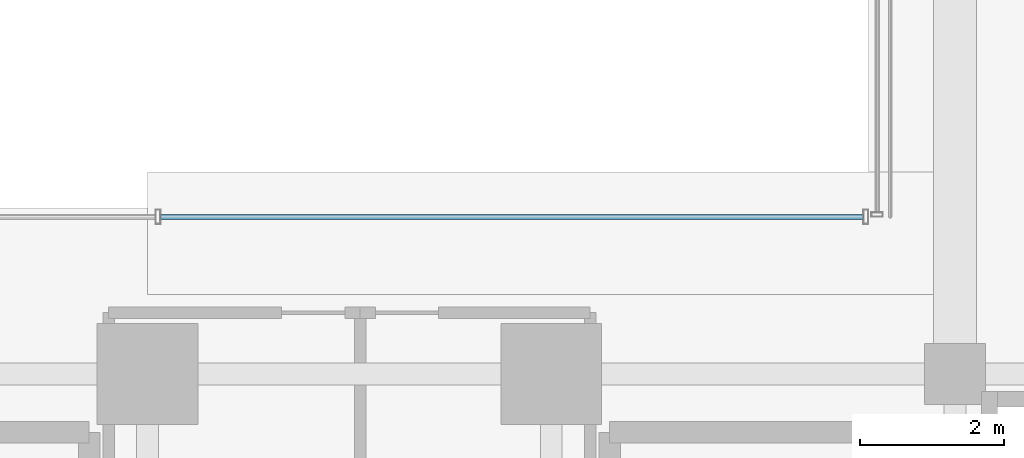
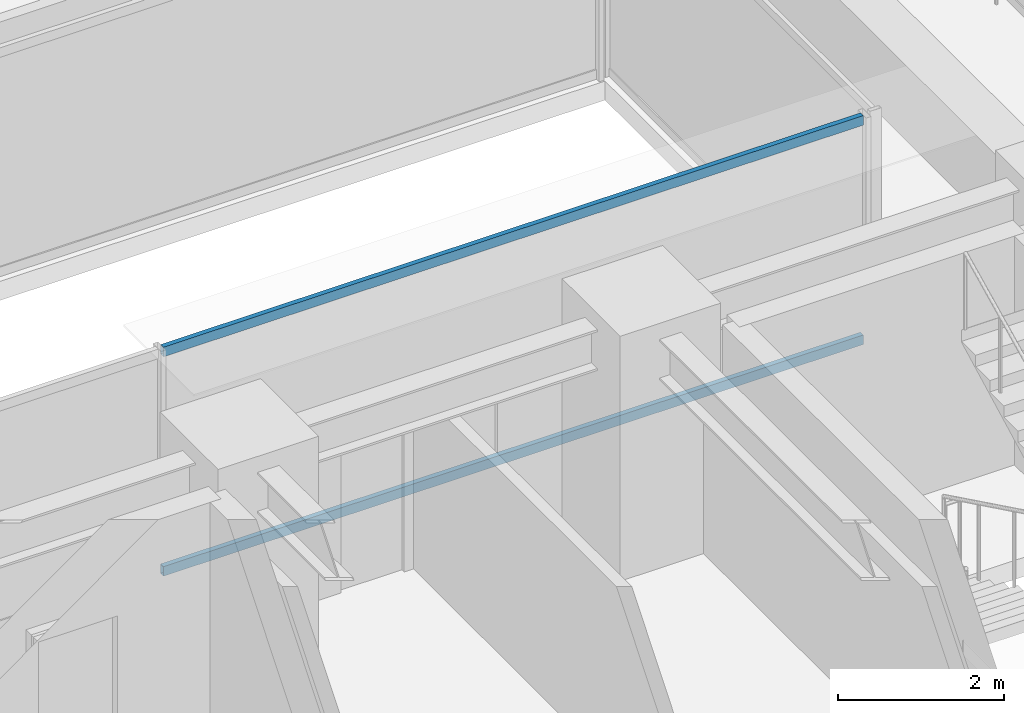
# One storey, part 12 of 42: 2 members, 1 element without a shape of its own.
"""IFC4 building model written with IfcOpenShell, lengths in metres."""

from ifc_helpers import new_model, si_unit, direction, frame, origin, origin_2d, place, context, subcontext, project, spatial, hollow_rectangle, extrude, source, transform, mapped, material, material_profile, profile_set, type_object, element, aggregate, save


model = new_model("IFC4")

# Units and contexts
model_context = context("Model", 3, precision=1e-05, world=origin(), true_north=direction((0.0, 1.0)))
body_context = subcontext(model_context, "Body", "Model", "MODEL_VIEW")
ifc_project = project(units=[si_unit("LENGTHUNIT", "METRE"), si_unit("AREAUNIT", "SQUARE_METRE"), si_unit("VOLUMEUNIT", "CUBIC_METRE"), si_unit("PLANEANGLEUNIT", "RADIAN"), si_unit("MASSUNIT", "GRAM", prefix="KILO")], contexts=[model_context])

# Site, building, storey
site_placement = place(None, origin())
site = spatial("IfcSite", under=ifc_project, at=site_placement, CompositionType="ELEMENT")
building_placement = place(site_placement, origin())
building = spatial("IfcBuilding", under=site, at=building_placement, Name="Nahalor Promenade Grand Hotel", CompositionType="ELEMENT")
storey_placement = place(building_placement, frame((0.0, 0.0, 61.60009765625)))
storey = spatial("IfcBuildingStorey", under=building, at=storey_placement, Name="L14", CompositionType="ELEMENT", Elevation=61.60009765625)

# Curtain wall, members
ifc_material = material(Name="Anodised Bronze Aluminium EN AW-6063 T6", Category="aluminium")
curtain_wall_type = type_object("IfcCurtainWallType", Name="CW3 Elliptical-Void Collar Unitised Curtain Wall", PredefinedType="USERDEFINED", material=ifc_material)
curtain_wall_placement = place(storey_placement, origin())
curtain_wall = element("IfcCurtainWall", 1, at=curtain_wall_placement, inside=storey, type_object=curtain_wall_type, Name="L14 Curtain Wall CW-L14-VOID-WS1", ObjectType="UNITISED_CURTAIN_WALL", PredefinedType="USERDEFINED")
ifc_material_profile = material_profile(ifc_material, hollow_rectangle(XDim=0.07, YDim=0.14, WallThickness=0.004, at=origin_2d()), Name="CWT 70x140x4")
ifc_profile_set = profile_set([ifc_material_profile], Name="Anodised Bronze Aluminium EN AW-6063 T6")
member_type = type_object("IfcMemberType", Name="CWT3 Void Collar Transom 70x140", PredefinedType="USERDEFINED", material=ifc_profile_set)
shared_shape = source(origin(), body_context, "Body", "SweptSolid", [
    extrude(hollow_rectangle(XDim=0.07, YDim=0.14, WallThickness=0.004, at=origin_2d()), origin(), (0.0, 0.0, 1.0), 9.748291015625),
])
member_1_placement = place(storey_placement, frame((-2.618408203125, -3.219970703125, 0.06982421875), z_axis=(1.0, 0.0, 0.0), x_axis=(0.0, 1.0, 0.0)))
member_1 = element("IfcMember", 2, at=member_1_placement, type_object=member_type, Name="CW-L14-VOID-WS1 Transom 2-0", ObjectType="TRANSOM", PredefinedType="USERDEFINED", context=body_context, shape_type="MappedRepresentation", body=[
    mapped(shared_shape, transform((0.0, 0.0, 0.0), scale=1.0)),
])
member_2_placement = place(storey_placement, frame((-2.618408203125, -3.219970703125, 3.2998046875), z_axis=(1.0, 0.0, 0.0), x_axis=(0.0, 1.0, 0.0)))
member_2 = element("IfcMember", 3, at=member_2_placement, type_object=member_type, Name="CW-L14-VOID-WS1 Transom 2-1", ObjectType="TRANSOM", PredefinedType="USERDEFINED", context=body_context, shape_type="MappedRepresentation", body=[
    mapped(shared_shape, transform((0.0, 0.0, 0.0), scale=1.0)),
])
aggregate(curtain_wall, [member_1, member_2])

save(model, "model.ifc")
